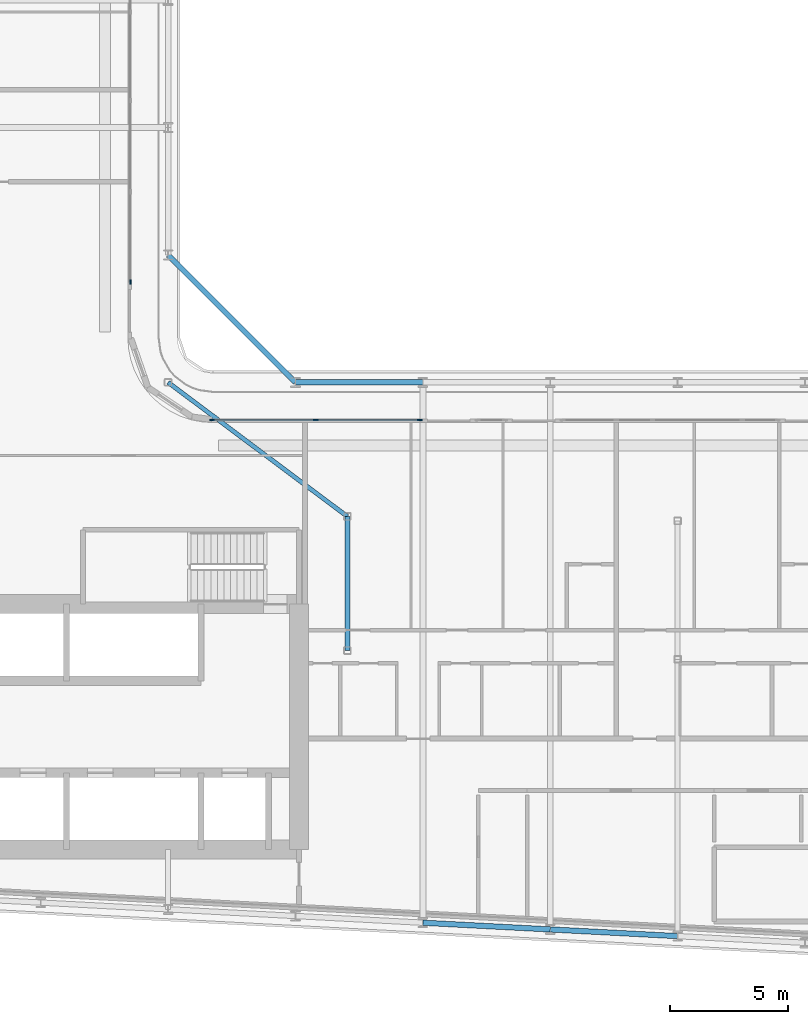
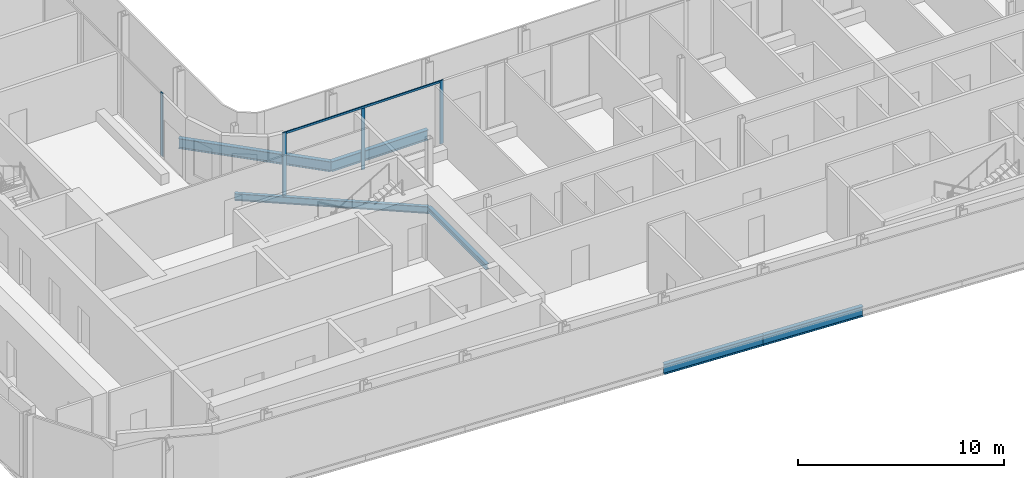
# One storey, part 6 of 30: 6 beams, 5 members, 2 elements without a shape of their own.
"""IFC4 building model written with IfcOpenShell, lengths in metres."""

from ifc_helpers import new_model, si_unit, direction, frame, origin, origin_2d, place, context, subcontext, project, spatial, rectangle, i_section, extrude, material, layer, layer_set, material_profile, profile_set, type_object, element, aggregate, save


model = new_model("IFC4")

# Units and contexts
model_context = context("Model", 3, precision=1e-05, world=origin(), true_north=direction((0.0, 1.0)))
body_context = subcontext(model_context, "Body", "Model", "MODEL_VIEW")
ifc_project = project(units=[si_unit("LENGTHUNIT", "METRE"), si_unit("AREAUNIT", "SQUARE_METRE"), si_unit("VOLUMEUNIT", "CUBIC_METRE"), si_unit("PLANEANGLEUNIT", "RADIAN"), si_unit("MASSUNIT", "GRAM", prefix="KILO")], contexts=[model_context])

# Site, building, storey
site_placement = place(None, origin())
site = spatial("IfcSite", under=ifc_project, at=site_placement, CompositionType="ELEMENT")
building_placement = place(site_placement, origin())
building = spatial("IfcBuilding", under=site, at=building_placement, Name="Kheshtan School and Residences Tower", CompositionType="ELEMENT")
storey_placement = place(building_placement, frame((0.0, 0.0, 164.300048828125)))
storey = spatial("IfcBuildingStorey", under=building, at=storey_placement, Name="L38", CompositionType="ELEMENT", Elevation=164.300048828125)

# Beams
ifc_material_1 = material(Name="Steel ASTM A992 Grade 50", Category="steel")
ifc_material_profile_1 = material_profile(ifc_material_1, i_section(OverallWidth=0.202880859375, OverallDepth=0.302978515625, WebThickness=0.007568359375, FlangeThickness=0.01318359375, FilletRadius=0.009033203125, at=origin_2d()), Name="W310x60")
ifc_profile_set_1 = profile_set([ifc_material_profile_1], Name="Steel ASTM A992 Grade 50")
beam_type_1 = type_object("IfcBeamType", Name="Beam FB1 W310x60 ASTM A992 Grade 50", PredefinedType="BEAM", material=ifc_profile_set_1)
beam_1_placement = place(storey_placement, frame((55.199951171875, 34.23193359375, -0.301513671875), z_axis=(0.0, 1.0, 0.0), x_axis=(-1.0, 0.0, 0.0)))
element("IfcBeam", 1, at=beam_1_placement, inside=storey, type_object=beam_type_1, Name="Floor beam IC", PredefinedType="BEAM", context=body_context, shape_type="SweptSolid", body=[
    extrude(i_section(OverallWidth=0.202880859375, OverallDepth=0.302978515625, WebThickness=0.007568359375, FlangeThickness=0.01318359375, FilletRadius=0.009033203125, at=origin_2d()), origin(), (0.0, 0.0, 1.0), 5.68408203125),
])
ifc_material_profile_2 = material_profile(ifc_material_1, i_section(OverallWidth=0.180908203125, OverallDepth=0.4169921875, WebThickness=0.010986328125, FlangeThickness=0.018310546875, FilletRadius=0.012451171875, at=origin_2d()), Name="W410x85")
ifc_profile_set_2 = profile_set([ifc_material_profile_2], Name="Steel ASTM A992 Grade 50")
beam_type_2 = type_object("IfcBeamType", Name="Beam FB3 W410x85 ASTM A992 Grade 50", PredefinedType="BEAM", material=ifc_profile_set_2)
beam_2_placement = place(storey_placement, frame((47.60009765625, 45.60009765625, -0.358642578125), z_axis=(0.800798828004, -0.598933416222, 0.0), x_axis=(0.598933416222, 0.800798828004, 0.0)))
element("IfcBeam", 2, at=beam_2_placement, inside=storey, type_object=beam_type_2, Name="Floor beam IC", PredefinedType="BEAM", context=body_context, shape_type="SweptSolid", body=[
    extrude(i_section(OverallWidth=0.180908203125, OverallDepth=0.4169921875, WebThickness=0.010986328125, FlangeThickness=0.018310546875, FilletRadius=0.012451171875, at=origin_2d()), origin(), (0.0, 0.0, 1.0), 9.490234375),
])
ifc_material_profile_3 = material_profile(ifc_material_1, i_section(OverallWidth=0.22802734375, OverallDepth=0.60302734375, WebThickness=0.010498046875, FlangeThickness=0.014892578125, FilletRadius=0.013427734375, at=origin_2d()), Name="W610x101")
ifc_profile_set_3 = profile_set([ifc_material_profile_3], Name="Steel ASTM A992 Grade 50")
beam_type_3 = type_object("IfcBeamType", Name="Beam SP2 W610x101 ASTM A992 Grade 50", PredefinedType="BEAM", material=ifc_profile_set_3)
beam_3_placement = place(storey_placement, frame((47.60009765625, 51.0, -0.45166015625), z_axis=(0.707106781187, -0.707106781187, 0.0), x_axis=(0.707106781187, 0.707106781187, 0.0)))
element("IfcBeam", 3, at=beam_3_placement, inside=storey, type_object=beam_type_3, Name="Spandrel beam C079-C061", PredefinedType="BEAM", context=body_context, shape_type="SweptSolid", body=[
    extrude(i_section(OverallWidth=0.22802734375, OverallDepth=0.60302734375, WebThickness=0.010498046875, FlangeThickness=0.014892578125, FilletRadius=0.013427734375, at=origin_2d()), origin(), (0.0, 0.0, 1.0), 7.63671875),
])
beam_4_placement = place(storey_placement, frame((53.0, 45.60009765625, -0.45166015625), z_axis=(1.0, 0.0, 0.0), x_axis=(0.0, 1.0, 0.0)))
element("IfcBeam", 4, at=beam_4_placement, inside=storey, type_object=beam_type_3, Name="Spandrel beam C061-C062", PredefinedType="BEAM", context=body_context, shape_type="SweptSolid", body=[
    extrude(i_section(OverallWidth=0.22802734375, OverallDepth=0.60302734375, WebThickness=0.010498046875, FlangeThickness=0.014892578125, FilletRadius=0.013427734375, at=origin_2d()), origin(), (0.0, 0.0, 1.0), 5.39990234375),
])
beam_5_placement = place(storey_placement, frame((69.199951171875, 22.126953125, -0.45166015625), z_axis=(-0.998620447272, 0.05250906864, 0.0), x_axis=(-0.05250906864, -0.998620447272, 0.0)))
element("IfcBeam", 5, at=beam_5_placement, inside=storey, type_object=beam_type_3, Name="Spandrel beam C014-C016", PredefinedType="BEAM", context=body_context, shape_type="SweptSolid", body=[
    extrude(i_section(OverallWidth=0.22802734375, OverallDepth=0.60302734375, WebThickness=0.010498046875, FlangeThickness=0.014892578125, FilletRadius=0.013427734375, at=origin_2d()), origin(), (0.0, 0.0, 1.0), 5.407470703125),
])
beam_6_placement = place(storey_placement, frame((63.800048828125, 22.410888671875, -0.45166015625), z_axis=(-0.998618203458, 0.052551724256, 0.0), x_axis=(-0.052551724256, -0.998618203458, 0.0)))
element("IfcBeam", 6, at=beam_6_placement, inside=storey, type_object=beam_type_3, Name="Spandrel beam C016-C018", PredefinedType="BEAM", context=body_context, shape_type="SweptSolid", body=[
    extrude(i_section(OverallWidth=0.22802734375, OverallDepth=0.60302734375, WebThickness=0.010498046875, FlangeThickness=0.014892578125, FilletRadius=0.013427734375, at=origin_2d()), origin(), (0.0, 0.0, 1.0), 5.40771484375),
])

# Curtain wall, member
ifc_material_2 = material(Name="Clear low-e glass in thermally broken aluminium frame", Category="aluminium")
ifc_layer = layer(ifc_material_2, 0.199951171875)
ifc_layer_set = layer_set([ifc_layer], Name="Curtain wall CW-L")
curtain_wall_type = type_object("IfcCurtainWallType", Name="Curtain wall CW-L", PredefinedType="NOTDEFINED", material=ifc_layer_set)
curtain_wall_1_placement = place(storey_placement, origin())
curtain_wall_1 = element("IfcCurtainWall", 7, at=curtain_wall_1_placement, inside=storey, type_object=curtain_wall_type, Name="Curtain wall CWL8", PredefinedType="NOTDEFINED")
ifc_material_3 = material(Name="Thermally broken aluminium, dark bronze anodised", Category="aluminium")
ifc_material_profile_4 = material_profile(ifc_material_3, rectangle(XDim=0.06005859375, YDim=0.199951171875, at=origin_2d()), Name="CW-L mullion 60x200")
ifc_profile_set_4 = profile_set([ifc_material_profile_4], Name="Thermally broken aluminium, dark bronze anodised")
member_type_1 = type_object("IfcMemberType", Name="CW-L mullion 60x200", PredefinedType="MULLION", material=ifc_profile_set_4)
member_1_placement = place(storey_placement, frame((46.0, 49.860107421875, 0.0), z_axis=(0.0, 0.0, 1.0), x_axis=(1.0, 0.0, 0.0)))
member_1 = element("IfcMember", 8, at=member_1_placement, type_object=member_type_1, Name="CWL8 mullion 3", PredefinedType="MULLION", context=body_context, shape_type="SweptSolid", body=[
    extrude(rectangle(XDim=0.06005859375, YDim=0.199951171875, at=origin_2d()), origin(), (0.0, 0.0, 1.0), 3.75),
])
aggregate(curtain_wall_1, [member_1])

# Curtain wall, members
curtain_wall_2_placement = place(storey_placement, origin())
curtain_wall_2 = element("IfcCurtainWall", 9, at=curtain_wall_2_placement, inside=storey, type_object=curtain_wall_type, Name="Curtain wall CWL12f", PredefinedType="NOTDEFINED")
member_2_placement = place(storey_placement, frame((49.4599609375, 44.0, 0.0), z_axis=(0.0, 0.0, 1.0), x_axis=(0.0, 1.0, 0.0)))
member_2 = element("IfcMember", 10, at=member_2_placement, type_object=member_type_1, Name="CWL12f mullion 1", PredefinedType="MULLION", context=body_context, shape_type="SweptSolid", body=[
    extrude(rectangle(XDim=0.06005859375, YDim=0.199951171875, at=origin_2d()), origin(), (0.0, 0.0, 1.0), 3.75),
])
member_3_placement = place(storey_placement, frame((53.86376953125, 44.0, 0.0), z_axis=(0.0, 0.0, 1.0), x_axis=(0.0, 1.0, 0.0)))
member_3 = element("IfcMember", 11, at=member_3_placement, type_object=member_type_1, Name="CWL12f mullion 2", PredefinedType="MULLION", context=body_context, shape_type="SweptSolid", body=[
    extrude(rectangle(XDim=0.06005859375, YDim=0.199951171875, at=origin_2d()), origin(), (0.0, 0.0, 1.0), 3.6298828125),
])
member_4_placement = place(storey_placement, frame((58.267578125, 44.0, 0.0), z_axis=(0.0, 0.0, 1.0), x_axis=(0.0, 1.0, 0.0)))
member_4 = element("IfcMember", 12, at=member_4_placement, type_object=member_type_1, Name="CWL12f mullion 3", PredefinedType="MULLION", context=body_context, shape_type="SweptSolid", body=[
    extrude(rectangle(XDim=0.06005859375, YDim=0.199951171875, at=origin_2d()), origin(), (0.0, 0.0, 1.0), 3.75),
])
ifc_material_profile_5 = material_profile(ifc_material_3, rectangle(XDim=0.06005859375, YDim=0.1201171875, at=origin_2d()), Name="CW-L transom 60x120")
ifc_profile_set_5 = profile_set([ifc_material_profile_5], Name="Thermally broken aluminium, dark bronze anodised")
member_type_2 = type_object("IfcMemberType", Name="CW-L transom 60x120", PredefinedType="USERDEFINED", material=ifc_profile_set_5)
member_5_placement = place(storey_placement, frame((49.489990234375, 44.0, 3.68994140625), z_axis=(1.0, 0.0, 0.0), x_axis=(0.0, 1.0, 0.0)))
member_5 = element("IfcMember", 13, at=member_5_placement, type_object=member_type_2, Name="CWL12f transom 1", ObjectType="TRANSOM", PredefinedType="USERDEFINED", context=body_context, shape_type="SweptSolid", body=[
    extrude(rectangle(XDim=0.06005859375, YDim=0.1201171875, at=origin_2d()), origin(), (0.0, 0.0, 1.0), 8.74755859375),
])
aggregate(curtain_wall_2, [member_2, member_3, member_4, member_5])

save(model, "model.ifc")
